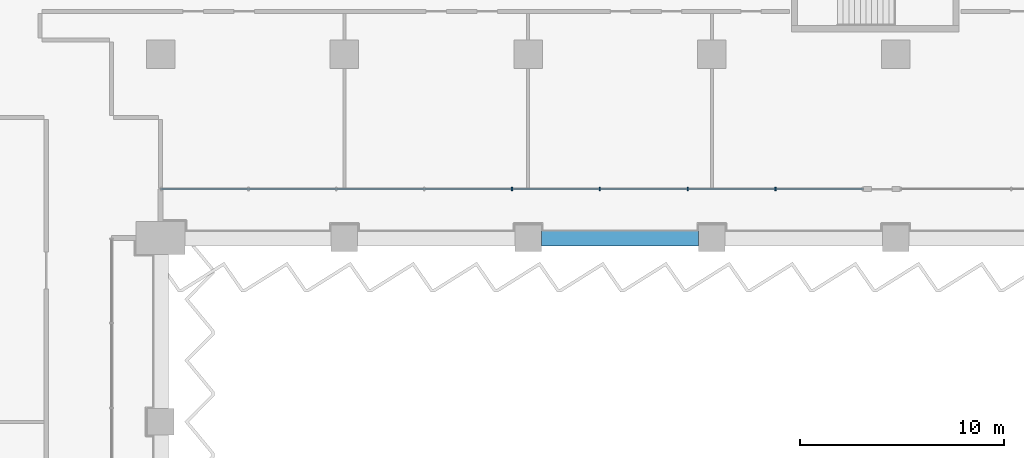
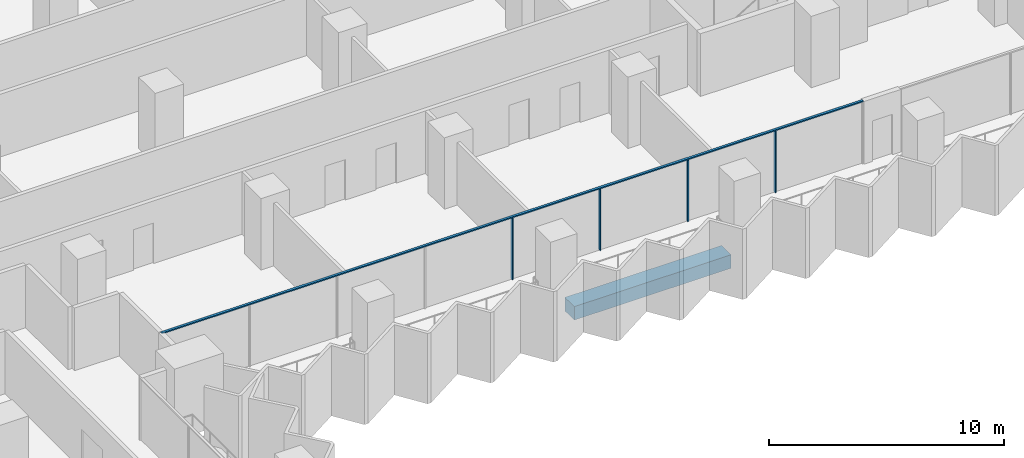
# One storey, part 5 of 28: 5 members, 1 beam, 1 element without a shape of its own.
"""IFC4 building model written with IfcOpenShell, lengths in metres."""

from ifc_helpers import new_model, si_unit, direction, frame, origin, origin_2d, place, context, subcontext, project, spatial, rectangle, extrude, material, material_profile, profile_set, type_object, element, aggregate, save


model = new_model("IFC4")

# Units and contexts
model_context = context("Model", 3, precision=1e-05, world=origin(), true_north=direction((0.0, 1.0)))
body_context = subcontext(model_context, "Body", "Model", "MODEL_VIEW")
ifc_project = project(units=[si_unit("LENGTHUNIT", "METRE"), si_unit("AREAUNIT", "SQUARE_METRE"), si_unit("VOLUMEUNIT", "CUBIC_METRE"), si_unit("PLANEANGLEUNIT", "RADIAN"), si_unit("MASSUNIT", "GRAM", prefix="KILO")], contexts=[model_context])

# Site, building, storey
site_placement = place(None, origin())
site = spatial("IfcSite", under=ifc_project, at=site_placement, CompositionType="ELEMENT")
building_placement = place(site_placement, origin())
building = spatial("IfcBuilding", under=site, at=building_placement, Name="Hunhe Ridgeline Campus", CompositionType="ELEMENT")
storey_placement = place(building_placement, frame((0.0, 0.0, 76.5)))
storey = spatial("IfcBuildingStorey", under=building, at=storey_placement, Name="L18", CompositionType="ELEMENT", Elevation=76.5)

# Curtain wall, members
ifc_material_1 = material(Name="Aluminium 6063", Category="aluminium")
curtain_wall_type = type_object("IfcCurtainWallType", Name="Curtain wall CW-1", PredefinedType="NOTDEFINED", material=ifc_material_1)
curtain_wall_placement = place(storey_placement, origin())
curtain_wall = element("IfcCurtainWall", 1, at=curtain_wall_placement, inside=storey, type_object=curtain_wall_type, Name="Curtain wall 13", PredefinedType="NOTDEFINED")
ifc_material_profile_1 = material_profile(ifc_material_1, rectangle(XDim=0.159912109375, YDim=0.06005859375, at=origin_2d()))
ifc_profile_set_1 = profile_set([ifc_material_profile_1], Name="Aluminium 6063")
member_type_1 = type_object("IfcMemberType", Name="CW-1 aluminium mullion", PredefinedType="MULLION", material=ifc_profile_set_1)
member_1_placement = place(storey_placement, frame((62.211669921875, 56.40087890625, 0.0), z_axis=(0.0, 0.0, 1.0), x_axis=(-3.602063e-06, 0.999999999994, 0.0)))
member_1 = element("IfcMember", 2, at=member_1_placement, type_object=member_type_1, Name="CW-1 mullion 5", PredefinedType="MULLION", context=body_context, shape_type="SweptSolid", body=[
    extrude(rectangle(XDim=0.159912109375, YDim=0.06005859375, at=origin_2d()), origin(), (0.0, 0.0, 1.0), 3.18994140625),
])
member_2_placement = place(storey_placement, frame((66.514892578125, 56.40087890625, 0.0), z_axis=(0.0, 0.0, 1.0), x_axis=(-3.602063e-06, 0.999999999994, 0.0)))
member_2 = element("IfcMember", 3, at=member_2_placement, type_object=member_type_1, Name="CW-1 mullion 6", PredefinedType="MULLION", context=body_context, shape_type="SweptSolid", body=[
    extrude(rectangle(XDim=0.159912109375, YDim=0.06005859375, at=origin_2d()), origin(), (0.0, 0.0, 1.0), 3.18994140625),
])
member_3_placement = place(storey_placement, frame((70.81787109375, 56.40087890625, 0.0), z_axis=(0.0, 0.0, 1.0), x_axis=(-3.602063e-06, 0.999999999994, 0.0)))
member_3 = element("IfcMember", 4, at=member_3_placement, type_object=member_type_1, Name="CW-1 mullion 7", PredefinedType="MULLION", context=body_context, shape_type="SweptSolid", body=[
    extrude(rectangle(XDim=0.159912109375, YDim=0.06005859375, at=origin_2d()), origin(), (0.0, 0.0, 1.0), 3.18994140625),
])
member_4_placement = place(storey_placement, frame((75.12109375, 56.40087890625, 0.0), z_axis=(0.0, 0.0, 1.0), x_axis=(-3.602063e-06, 0.999999999994, 0.0)))
member_4 = element("IfcMember", 5, at=member_4_placement, type_object=member_type_1, Name="CW-1 mullion 8", PredefinedType="MULLION", context=body_context, shape_type="SweptSolid", body=[
    extrude(rectangle(XDim=0.159912109375, YDim=0.06005859375, at=origin_2d()), origin(), (0.0, 0.0, 1.0), 3.18994140625),
])
ifc_material_profile_2 = material_profile(ifc_material_1, rectangle(XDim=0.1201171875, YDim=0.06005859375, at=origin_2d()))
ifc_profile_set_2 = profile_set([ifc_material_profile_2], Name="Aluminium 6063")
member_type_2 = type_object("IfcMemberType", Name="CW-1 aluminium transom", PredefinedType="USERDEFINED", material=ifc_profile_set_2)
member_5_placement = place(storey_placement, frame((44.99951171875, 56.40087890625, 3.219970703125), z_axis=(1.0, 0.0, 0.0), x_axis=(0.0, 1.0, 0.0)))
member_5 = element("IfcMember", 6, at=member_5_placement, type_object=member_type_2, Name="CW-1 transom 1", ObjectType="TRANSOM", PredefinedType="USERDEFINED", context=body_context, shape_type="SweptSolid", body=[
    extrude(rectangle(XDim=0.1201171875, YDim=0.06005859375, at=origin_2d()), origin(), (0.0, 0.0, 1.0), 34.424560546875),
])
aggregate(curtain_wall, [member_5, member_1, member_2, member_3, member_4])

# Beam
ifc_material_2 = material(Name="Concrete C60", Category="concrete")
ifc_material_profile_3 = material_profile(ifc_material_2, rectangle(XDim=0.800048828125, YDim=0.699951171875, at=origin_2d()))
ifc_profile_set_3 = profile_set([ifc_material_profile_3], Name="Concrete C60")
beam_type = type_object("IfcBeamType", Name="RC spandrel beam 800x700 Concrete C60", PredefinedType="SPANDREL", material=ifc_profile_set_3)
beam_placement = place(storey_placement, frame((63.64990234375, 54.0, -0.60009765625), z_axis=(1.0, 0.0, 0.0), x_axis=(0.0, 1.0, 0.0)))
element("IfcBeam", 7, at=beam_placement, inside=storey, type_object=beam_type, Name="Spandrel beam B1-14 L18", PredefinedType="SPANDREL", context=body_context, shape_type="SweptSolid", body=[
    extrude(rectangle(XDim=0.800048828125, YDim=0.699951171875, at=origin_2d()), origin(), (0.0, 0.0, 1.0), 7.7001953125),
])

save(model, "model.ifc")
